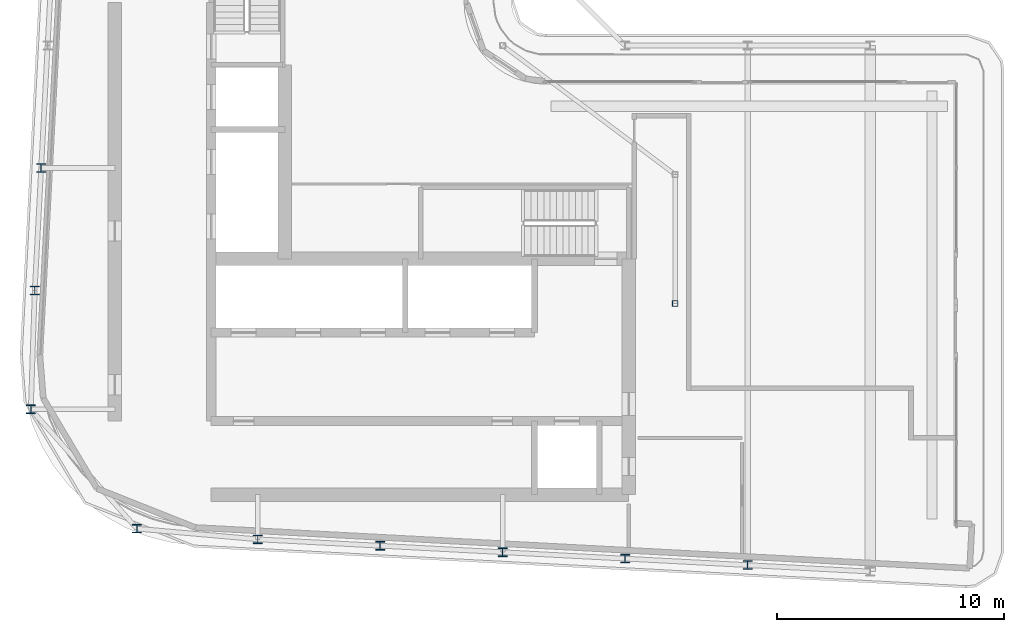
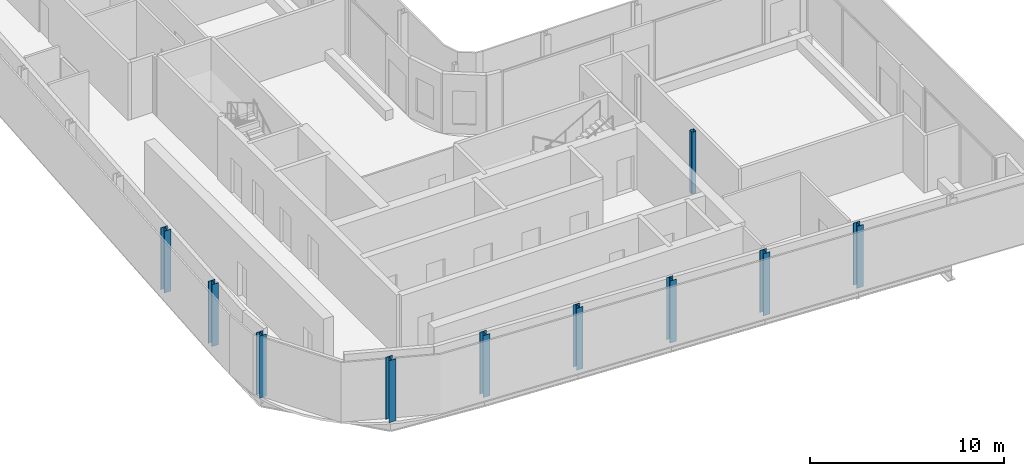
# One storey, part 1 of 20: 10 columns.
"""IFC4 building model written with IfcOpenShell, lengths in metres."""

from ifc_helpers import new_model, si_unit, direction, frame, origin, origin_2d, place, context, subcontext, project, spatial, hollow_rectangle, i_section, extrude, material, material_profile, profile_set, type_object, element, save


model = new_model("IFC4")

# Units and contexts
model_context = context("Model", 3, precision=1e-05, world=origin(), true_north=direction((0.0, 1.0)))
body_context = subcontext(model_context, "Body", "Model", "MODEL_VIEW")
ifc_project = project(units=[si_unit("LENGTHUNIT", "METRE"), si_unit("AREAUNIT", "SQUARE_METRE"), si_unit("VOLUMEUNIT", "CUBIC_METRE"), si_unit("PLANEANGLEUNIT", "RADIAN"), si_unit("MASSUNIT", "GRAM", prefix="KILO")], contexts=[model_context])

# Site, building, storey
site_placement = place(None, origin())
site = spatial("IfcSite", under=ifc_project, at=site_placement, CompositionType="ELEMENT")
building_placement = place(site_placement, origin())
building = spatial("IfcBuilding", under=site, at=building_placement, Name="Kheshtan School and Residences Tower", CompositionType="ELEMENT")
storey_placement = place(building_placement, frame((0.0, 0.0, 286.39990234375)))
storey = spatial("IfcBuildingStorey", under=building, at=storey_placement, Name="L67", CompositionType="ELEMENT", Elevation=286.39990234375)

# Columns
ifc_material_1 = material(Name="Steel ASTM A992 Grade 50", Category="steel")
ifc_material_profile_1 = material_profile(ifc_material_1, i_section(OverallWidth=0.39501953125, OverallDepth=0.3798828125, WebThickness=0.018798828125, FlangeThickness=0.0302734375, FilletRadius=0.011474609375, at=origin_2d()), Name="W360x237")
ifc_profile_set_1 = profile_set([ifc_material_profile_1], Name="Steel ASTM A992 Grade 50")
column_type_1 = type_object("IfcColumnType", Name="Column C5 W360x237 ASTM A992 Grade 50", PredefinedType="COLUMN", material=ifc_profile_set_1)
for number, where, z_axis, x_axis, name in (
    (1, (58.39990234375, 22.695068359375, 0.0), (0.0, 0.0, 1.0), (1.0, 0.0, 0.0), "Column C018"),
    (2, (53.0, 22.97998046875, 0.0), (0.0, 0.0, 1.0), (1.0, 0.0, 0.0), "Column C019"),
    (3, (47.60009765625, 23.263916015625, 0.0), (0.0, 0.0, 1.0), (1.0, 0.0, 0.0), "Column C020"),
    (4, (42.199951171875, 23.548095703125, 0.0), (0.0, 0.0, 1.0), (1.0, 0.0, 0.0), "Column C021"),
    (5, (36.800048828125, 23.83203125, 0.0), (0.0, 0.0, 1.0), (1.0, 0.0, 0.0), "Column C022"),
    (6, (31.47412109375, 24.302001953125, 0.0), (0.0, 0.0, 1.0), (1.0, 0.0, 0.0), "Column C031"),
    (7, (26.797119140625, 29.56591796875, 0.0), (0.0, 0.0, 1.0), (1.0, 0.0, 0.0), "Column C044"),
    (8, (26.968994140625, 34.800048828125, 0.0), (0.0, 0.0, 1.0), (1.0, 0.0, 0.0), "Column C052"),
    (9, (27.2529296875, 40.199951171875, 0.0), (0.0, 0.0, 1.0), (1.0, 0.0, 0.0), "Column C056"),
):
    element("IfcColumn", number, at=place(storey_placement, frame(where, z_axis=z_axis, x_axis=x_axis)), inside=storey, type_object=column_type_1, Name=name, PredefinedType="COLUMN", context=body_context, shape_type="SweptSolid", body=[
        extrude(i_section(OverallWidth=0.39501953125, OverallDepth=0.3798828125, WebThickness=0.018798828125, FlangeThickness=0.0302734375, FilletRadius=0.011474609375, at=origin_2d()), origin(), (0.0, 0.0, 1.0), 3.900146484375),
    ])
ifc_material_2 = material(Name="Steel ASTM A500 Grade C", Category="steel")
ifc_material_profile_2 = material_profile(ifc_material_2, hollow_rectangle(XDim=0.25390625, YDim=0.25390625, WallThickness=0.0126953125, InnerFilletRadius=0.0126953125, OuterFilletRadius=0.025390625, at=origin_2d()), Name="HSS 254x254x12.7")
ifc_profile_set_2 = profile_set([ifc_material_profile_2], Name="Steel ASTM A500 Grade C")
column_type_2 = type_object("IfcColumnType", Name="Column IC3 HSS 254x254x12.7 ASTM A500 Grade C", PredefinedType="COLUMN", material=ifc_profile_set_2)
column_placement = place(storey_placement, frame((55.199951171875, 34.23193359375, 0.0), z_axis=(0.0, 0.0, 1.0), x_axis=(1.0, 0.0, 0.0)))
element("IfcColumn", 10, at=column_placement, inside=storey, type_object=column_type_2, Name="Column C051", PredefinedType="COLUMN", context=body_context, shape_type="SweptSolid", body=[
    extrude(hollow_rectangle(XDim=0.25390625, YDim=0.25390625, WallThickness=0.0126953125, InnerFilletRadius=0.0126953125, OuterFilletRadius=0.025390625, at=origin_2d()), origin(), (0.0, 0.0, 1.0), 3.900146484375),
])

save(model, "model.ifc")
